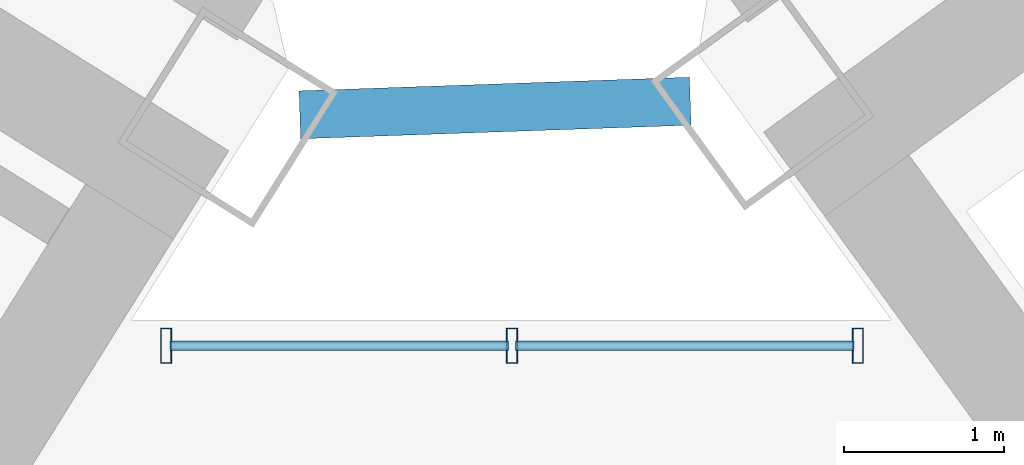
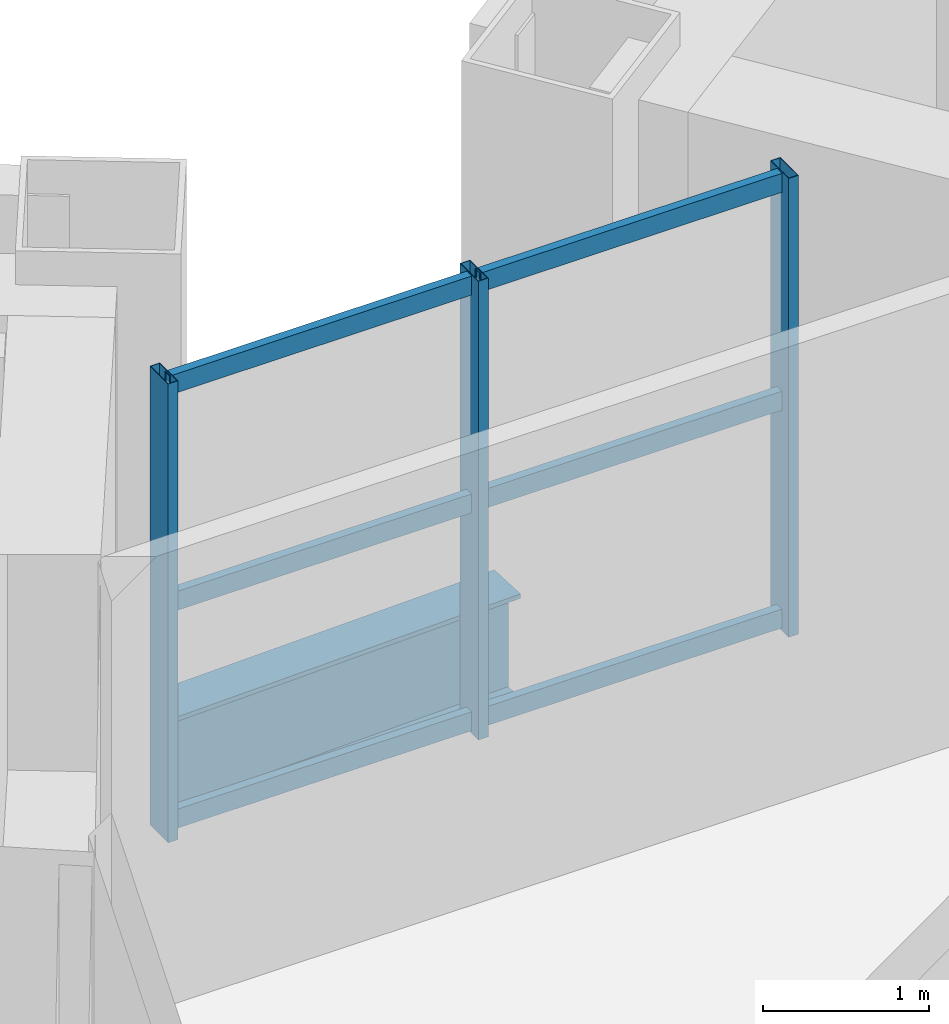
# One storey, part 11 of 25: 9 members, 1 beam, 1 element without a shape of its own.
"""IFC4 building model written with IfcOpenShell, lengths in metres."""

from ifc_helpers import new_model, si_unit, direction, frame, origin, origin_2d, place, context, subcontext, project, spatial, hollow_rectangle, i_section, extrude, source, transform, mapped, material, material_profile, profile_set, type_object, element, aggregate, save


model = new_model("IFC4")

# Units and contexts
model_context = context("Model", 3, precision=1e-05, world=origin(), true_north=direction((0.0, 1.0)))
body_context = subcontext(model_context, "Body", "Model", "MODEL_VIEW")
ifc_project = project(units=[si_unit("LENGTHUNIT", "METRE"), si_unit("AREAUNIT", "SQUARE_METRE"), si_unit("VOLUMEUNIT", "CUBIC_METRE"), si_unit("PLANEANGLEUNIT", "RADIAN"), si_unit("MASSUNIT", "GRAM", prefix="KILO")], contexts=[model_context])

# Site, building, storey
site_placement = place(None, origin())
site = spatial("IfcSite", under=ifc_project, at=site_placement, CompositionType="ELEMENT")
building_placement = place(site_placement, origin())
building = spatial("IfcBuilding", under=site, at=building_placement, Name="Tlacorven Tower", CompositionType="ELEMENT")
storey_placement = place(building_placement, frame((0.0, 0.0, 52.800048828125)))
storey = spatial("IfcBuildingStorey", under=building, at=storey_placement, Name="L13", CompositionType="ELEMENT", Elevation=52.800048828125)

# Beam
ifc_material_1 = material(Name="Steel S355J2", Category="steel")
ifc_material_profile_1 = material_profile(ifc_material_1, i_section(OverallWidth=0.300048828125, OverallDepth=0.800048828125, WebThickness=0.017578125, FlangeThickness=0.032958984375, at=origin_2d()), Name="HEB 800")
ifc_profile_set_1 = profile_set([ifc_material_profile_1], Name="Steel S355J2")
beam_type = type_object("IfcBeamType", Name="BM-POD-800", PredefinedType="BEAM", material=ifc_profile_set_1)
shared_shape_1 = source(origin(), body_context, "Body", "SweptSolid", [
    extrude(i_section(OverallWidth=0.300048828125, OverallDepth=0.800048828125, WebThickness=0.017578125, FlangeThickness=0.032958984375, at=origin_2d()), origin(), (0.0, 0.0, 1.0), 2.44287109375),
])
beam_placement = place(storey_placement, frame((41.232666015625, 24.484130859375, -0.650146484375), z_axis=(0.999391550767, 0.034878765122, 0.0), x_axis=(-0.034878765122, 0.999391550767, 0.0)))
element("IfcBeam", 1, at=beam_placement, inside=storey, type_object=beam_type, Name="L13 Knuckle Link Girder 1", PredefinedType="BEAM", context=body_context, shape_type="MappedRepresentation", body=[
    mapped(shared_shape_1, transform((0.0, 0.0, 0.0), scale=1.0)),
])

# Curtain wall, members
ifc_material_2 = material(Name="Dark solar low-E double glazing in aluminium frame", Category="aluminium")
curtain_wall_type = type_object("IfcCurtainWallType", Name="CW-TWR-LOW", PredefinedType="USERDEFINED", material=ifc_material_2)
curtain_wall_placement = place(storey_placement, origin())
curtain_wall = element("IfcCurtainWall", 2, at=curtain_wall_placement, inside=storey, type_object=curtain_wall_type, Name="L13 CW-TWR-LOW Curtain Wall 74", ObjectType="UNITISED CURTAIN WALL", PredefinedType="USERDEFINED")
ifc_material_3 = material(Name="Aluminium 6063-T6 anodised", Category="aluminium")
ifc_material_profile_2 = material_profile(ifc_material_3, hollow_rectangle(XDim=0.06005859375, YDim=0.139892578125, WallThickness=0.00390625, at=origin_2d()), Name="ALU TRANSOM 60X140")
ifc_profile_set_2 = profile_set([ifc_material_profile_2], Name="Aluminium 6063-T6 anodised")
member_type_1 = type_object("IfcMemberType", Name="CWT-02", PredefinedType="USERDEFINED", material=ifc_profile_set_2)
shared_shape_2 = source(origin(), body_context, "Body", "SweptSolid", [
    extrude(hollow_rectangle(XDim=0.06005859375, YDim=0.139892578125, WallThickness=0.00390625, at=origin_2d()), origin(), (0.0, 0.0, 1.0), 2.116455078125),
])
member_1_placement = place(storey_placement, frame((40.419921875, 23.0400390625, 0.070068359375), z_axis=(1.0, 0.0, 0.0), x_axis=(0.0, 1.0, 0.0)))
member_1 = element("IfcMember", 3, at=member_1_placement, type_object=member_type_1, Name="CW-L13-074 Transom 1", ObjectType="TRANSOM", PredefinedType="USERDEFINED", context=body_context, shape_type="MappedRepresentation", body=[
    mapped(shared_shape_2, transform((0.0, 0.0, 0.0), scale=1.0)),
])
member_2_placement = place(storey_placement, frame((40.419921875, 23.0400390625, 1.675048828125), z_axis=(1.0, 0.0, 0.0), x_axis=(0.0, 1.0, 0.0)))
member_2 = element("IfcMember", 4, at=member_2_placement, type_object=member_type_1, Name="CW-L13-074 Transom 2", ObjectType="TRANSOM", PredefinedType="USERDEFINED", context=body_context, shape_type="MappedRepresentation", body=[
    mapped(shared_shape_2, transform((0.0, 0.0, 0.0), scale=1.0)),
])
member_3_placement = place(storey_placement, frame((40.419921875, 23.0400390625, 3.280029296875), z_axis=(1.0, 0.0, 0.0), x_axis=(0.0, 1.0, 0.0)))
member_3 = element("IfcMember", 5, at=member_3_placement, type_object=member_type_1, Name="CW-L13-074 Transom 3", ObjectType="TRANSOM", PredefinedType="USERDEFINED", context=body_context, shape_type="MappedRepresentation", body=[
    mapped(shared_shape_2, transform((0.0, 0.0, 0.0), scale=1.0)),
])
shared_shape_3 = source(origin(), body_context, "Body", "SweptSolid", [
    extrude(hollow_rectangle(XDim=0.06005859375, YDim=0.139892578125, WallThickness=0.00390625, at=origin_2d()), origin(), (0.0, 0.0, 1.0), 2.11669921875),
])
member_4_placement = place(storey_placement, frame((42.582275390625, 23.0400390625, 0.070068359375), z_axis=(1.0, 0.0, 0.0), x_axis=(0.0, 1.0, 0.0)))
member_4 = element("IfcMember", 6, at=member_4_placement, type_object=member_type_1, Name="CW-L13-074 Transom 4", ObjectType="TRANSOM", PredefinedType="USERDEFINED", context=body_context, shape_type="MappedRepresentation", body=[
    mapped(shared_shape_3, transform((0.0, 0.0, 0.0), scale=1.0)),
])
member_5_placement = place(storey_placement, frame((42.582275390625, 23.0400390625, 1.675048828125), z_axis=(1.0, 0.0, 0.0), x_axis=(0.0, 1.0, 0.0)))
member_5 = element("IfcMember", 7, at=member_5_placement, type_object=member_type_1, Name="CW-L13-074 Transom 5", ObjectType="TRANSOM", PredefinedType="USERDEFINED", context=body_context, shape_type="MappedRepresentation", body=[
    mapped(shared_shape_3, transform((0.0, 0.0, 0.0), scale=1.0)),
])
member_6_placement = place(storey_placement, frame((42.582275390625, 23.0400390625, 3.280029296875), z_axis=(1.0, 0.0, 0.0), x_axis=(0.0, 1.0, 0.0)))
member_6 = element("IfcMember", 8, at=member_6_placement, type_object=member_type_1, Name="CW-L13-074 Transom 6", ObjectType="TRANSOM", PredefinedType="USERDEFINED", context=body_context, shape_type="MappedRepresentation", body=[
    mapped(shared_shape_3, transform((0.0, 0.0, 0.0), scale=1.0)),
])
ifc_material_profile_3 = material_profile(ifc_material_3, hollow_rectangle(XDim=0.070068359375, YDim=0.219970703125, WallThickness=0.0048828125, at=origin_2d()), Name="ALU MULLION 70X220")
ifc_profile_set_3 = profile_set([ifc_material_profile_3], Name="Aluminium 6063-T6 anodised")
member_type_2 = type_object("IfcMemberType", Name="CWM-01", PredefinedType="MULLION", material=ifc_profile_set_3)
shared_shape_4 = source(origin(), body_context, "Body", "SweptSolid", [
    extrude(hollow_rectangle(XDim=0.070068359375, YDim=0.219970703125, WallThickness=0.0048828125, at=origin_2d()), origin(), (0.0, 0.0, 1.0), 3.3798828125),
])
member_7_placement = place(storey_placement, frame((40.396728515625, 23.0400390625, -0.02001953125), z_axis=(0.0, 0.0, 1.0), x_axis=(1.0, 0.0, 0.0)))
member_7 = element("IfcMember", 9, at=member_7_placement, type_object=member_type_2, Name="CW-L13-074 Mullion 1", PredefinedType="MULLION", context=body_context, shape_type="MappedRepresentation", body=[
    mapped(shared_shape_4, transform((0.0, 0.0, 0.0), scale=1.0)),
])
member_8_placement = place(storey_placement, frame((42.559326171875, 23.0400390625, -0.02001953125), z_axis=(0.0, 0.0, 1.0), x_axis=(1.0, 0.0, 0.0)))
member_8 = element("IfcMember", 10, at=member_8_placement, type_object=member_type_2, Name="CW-L13-074 Mullion 2", PredefinedType="MULLION", context=body_context, shape_type="MappedRepresentation", body=[
    mapped(shared_shape_4, transform((0.0, 0.0, 0.0), scale=1.0)),
])
member_9_placement = place(storey_placement, frame((44.721923828125, 23.0400390625, -0.02001953125), z_axis=(0.0, 0.0, 1.0), x_axis=(1.0, 0.0, 0.0)))
member_9 = element("IfcMember", 11, at=member_9_placement, type_object=member_type_2, Name="CW-L13-074 Mullion 3", PredefinedType="MULLION", context=body_context, shape_type="MappedRepresentation", body=[
    mapped(shared_shape_4, transform((0.0, 0.0, 0.0), scale=1.0)),
])
aggregate(curtain_wall, [member_7, member_8, member_9, member_1, member_2, member_3, member_4, member_5, member_6])

save(model, "model.ifc")
